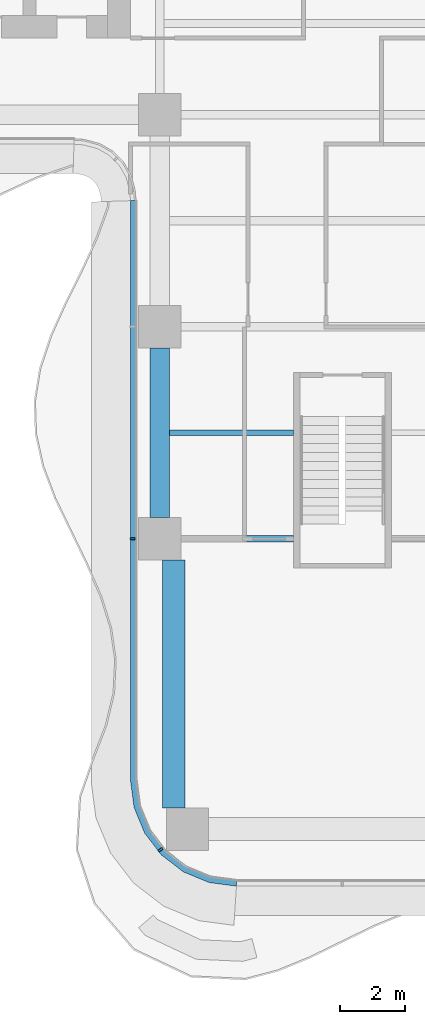
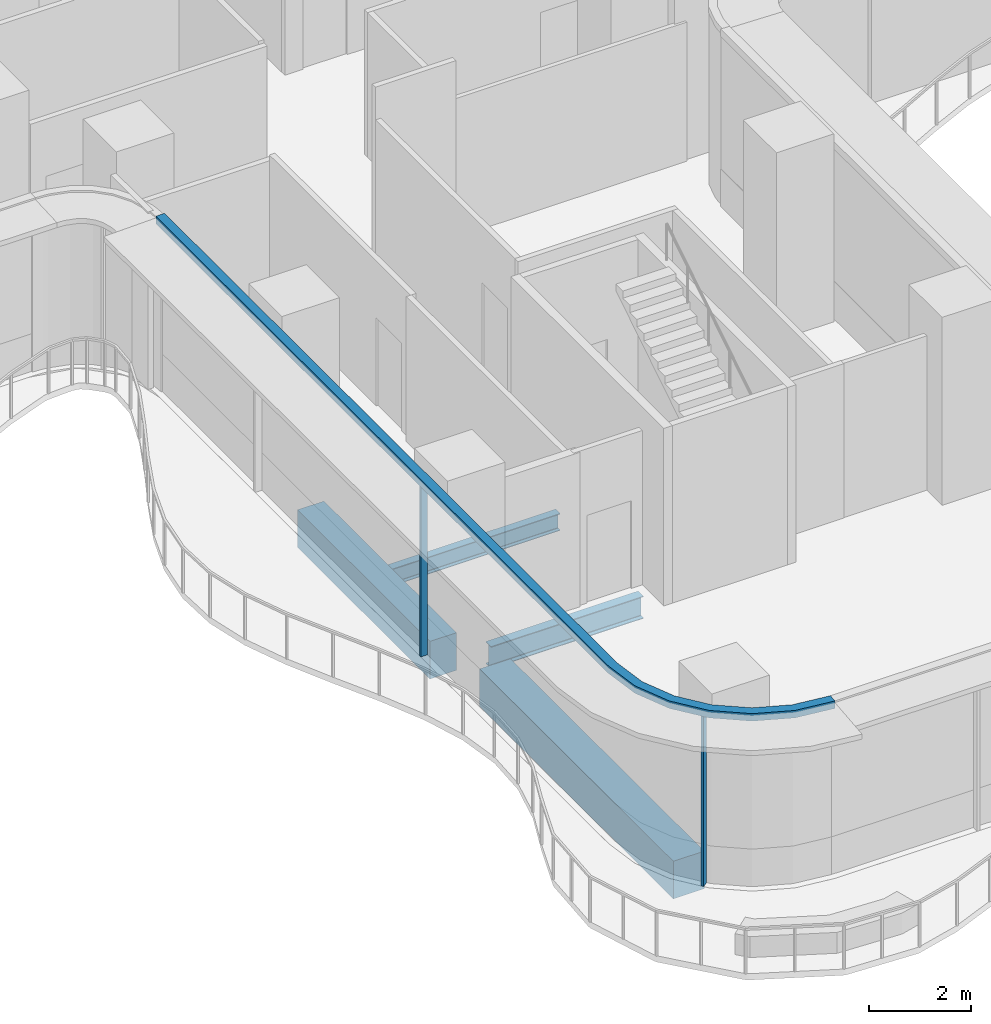
# One storey, part 2 of 21: 4 beams, 3 members, 1 element without a shape of its own.
"""IFC4 building model written with IfcOpenShell, lengths in metres."""

from ifc_helpers import new_model, si_unit, direction, frame, origin, origin_2d, place, context, subcontext, project, spatial, polyline, rectangle, i_section, outline, extrude, source, transform, mapped, material, layer, layer_set, material_profile, profile_set, type_object, element, aggregate, save


model = new_model("IFC4")

# Units and contexts
model_context = context("Model", 3, precision=1e-05, world=origin(), true_north=direction((0.0, 1.0)))
body_context = subcontext(model_context, "Body", "Model", "MODEL_VIEW")
ifc_project = project(units=[si_unit("LENGTHUNIT", "METRE"), si_unit("AREAUNIT", "SQUARE_METRE"), si_unit("VOLUMEUNIT", "CUBIC_METRE"), si_unit("PLANEANGLEUNIT", "RADIAN"), si_unit("MASSUNIT", "GRAM", prefix="KILO")], contexts=[model_context])

# Site, building, storey
site_placement = place(None, origin())
site = spatial("IfcSite", under=ifc_project, at=site_placement, CompositionType="ELEMENT")
building_placement = place(site_placement, origin())
building = spatial("IfcBuilding", under=site, at=building_placement, Name="Trellis Farm Tower", CompositionType="ELEMENT")
storey_placement = place(building_placement, frame((0.0, 0.0, 106.5)))
storey = spatial("IfcBuildingStorey", under=building, at=storey_placement, Name="L22", CompositionType="ELEMENT", Elevation=106.5)

# Beams
ifc_material_1 = material(Name="Steel S355", Category="steel")
ifc_material_profile_1 = material_profile(ifc_material_1, i_section(OverallWidth=0.177978515625, OverallDepth=0.406494140625, WebThickness=0.0078125, FlangeThickness=0.0126953125, FilletRadius=0.01025390625, at=origin_2d()), Name="UB 406x178x60")
ifc_profile_set_1 = profile_set([ifc_material_profile_1], Name="Steel S355")
beam_type_1 = type_object("IfcBeamType", Name="UB 406x178x60 joist", PredefinedType="JOIST", material=ifc_profile_set_1)
shared_shape_1 = source(origin(), body_context, "Body", "SweptSolid", [
    extrude(i_section(OverallWidth=0.177978515625, OverallDepth=0.406494140625, WebThickness=0.0078125, FlangeThickness=0.0126953125, FilletRadius=0.01025390625, at=origin_2d()), origin(), (0.0, 0.0, 1.0), 3.800048828125),
])
beam_1_placement = place(storey_placement, frame((-5.300048828125, -15.35009765625, -0.453125), z_axis=(1.0, 0.0, 0.0), x_axis=(0.0, 1.0, 0.0)))
element("IfcBeam", 1, at=beam_1_placement, inside=storey, type_object=beam_type_1, Name="Floor beam", PredefinedType="JOIST", context=body_context, shape_type="MappedRepresentation", body=[
    mapped(shared_shape_1, transform((0.0, 0.0, 0.0))),
])
ifc_material_profile_2 = material_profile(ifc_material_1, i_section(OverallWidth=0.209228515625, OverallDepth=0.533203125, WebThickness=0.010009765625, FlangeThickness=0.015625, FilletRadius=0.0126953125, at=origin_2d()), Name="UB 533x210x92")
ifc_profile_set_2 = profile_set([ifc_material_profile_2], Name="Steel S355")
beam_type_2 = type_object("IfcBeamType", Name="UB 533x210x92", PredefinedType="BEAM", material=ifc_profile_set_2)
shared_shape_2 = source(origin(), body_context, "Body", "SweptSolid", [
    extrude(i_section(OverallWidth=0.209228515625, OverallDepth=0.533203125, WebThickness=0.010009765625, FlangeThickness=0.015625, FilletRadius=0.0126953125, at=origin_2d()), origin(), (0.0, 0.0, 1.0), 3.449951171875),
])
beam_2_placement = place(storey_placement, frame((-4.949951171875, -18.60009765625, -0.5166015625), z_axis=(1.0, 0.0, 0.0), x_axis=(0.0, 1.0, 0.0)))
element("IfcBeam", 2, at=beam_2_placement, inside=storey, type_object=beam_type_2, Name="Girder", PredefinedType="BEAM", context=body_context, shape_type="MappedRepresentation", body=[
    mapped(shared_shape_2, transform((0.0, 0.0, 0.0))),
])
ifc_material_2 = material(Name="Concrete C60/75", Category="concrete")
ifc_material_profile_3 = material_profile(ifc_material_2, rectangle(XDim=0.60009765625, YDim=0.89990234375, at=origin_2d()), Name="RC spandrel beam 600x900 C60/75")
ifc_profile_set_3 = profile_set([ifc_material_profile_3], Name="Concrete C60/75")
beam_type_3 = type_object("IfcBeamType", Name="RC spandrel beam 600x900 C60/75", PredefinedType="SPANDREL", material=ifc_profile_set_3)
shared_shape_3 = source(origin(), body_context, "Body", "SweptSolid", [
    extrude(rectangle(XDim=0.60009765625, YDim=0.89990234375, at=origin_2d()), origin(), (0.0, 0.0, 1.0), 5.199951171875),
])
beam_3_placement = place(storey_placement, frame((-5.60009765625, -17.949951171875, -0.699951171875), z_axis=(0.0, 1.0, 0.0), x_axis=(-1.0, 0.0, 0.0)))
element("IfcBeam", 3, at=beam_3_placement, inside=storey, type_object=beam_type_3, Name="Girder", PredefinedType="SPANDREL", context=body_context, shape_type="MappedRepresentation", body=[
    mapped(shared_shape_3, transform((0.0, 0.0, 0.0))),
])
ifc_material_profile_4 = material_profile(ifc_material_2, rectangle(XDim=0.699951171875, YDim=0.89990234375, at=origin_2d()), Name="RC spandrel beam 700x900 C60/75")
ifc_profile_set_4 = profile_set([ifc_material_profile_4], Name="Concrete C60/75")
beam_type_4 = type_object("IfcBeamType", Name="RC spandrel beam 700x900 C60/75", PredefinedType="SPANDREL", material=ifc_profile_set_4)
shared_shape_4 = source(origin(), body_context, "Body", "SweptSolid", [
    extrude(rectangle(XDim=0.699951171875, YDim=0.89990234375, at=origin_2d()), origin(), (0.0, 0.0, 1.0), 7.60009765625),
])
beam_4_placement = place(storey_placement, frame((-5.175048828125, -26.85009765625, -0.699951171875), z_axis=(0.0, 1.0, 0.0), x_axis=(-1.0, 0.0, 0.0)))
element("IfcBeam", 4, at=beam_4_placement, inside=storey, type_object=beam_type_4, Name="Girder", PredefinedType="SPANDREL", context=body_context, shape_type="MappedRepresentation", body=[
    mapped(shared_shape_4, transform((0.0, 0.0, 0.0))),
])

# Curtain wall, members
ifc_material_3 = material(Name="Aluminium and glass curtain wall", Category="aluminium")
ifc_layer_1 = layer(ifc_material_3, 0.18994140625)
ifc_layer_set_1 = layer_set([ifc_layer_1], Name="RIBBON CURTAIN WALL CW1")
curtain_wall_type = type_object("IfcCurtainWallType", Name="RIBBON CURTAIN WALL CW1", PredefinedType="NOTDEFINED", material=ifc_layer_set_1)
curtain_wall_placement = place(storey_placement, origin())
curtain_wall = element("IfcCurtainWall", 5, at=curtain_wall_placement, inside=storey, type_object=curtain_wall_type, Name="CW1 002", PredefinedType="NOTDEFINED")
ifc_material_4 = material(Name="Aluminium extrusion 6063-T6", Category="aluminium")
ifc_material_profile_5 = material_profile(ifc_material_4, rectangle(XDim=0.06005859375, YDim=0.14990234375, at=origin_2d()), Name="MULLION 60x150")
ifc_profile_set_5 = profile_set([ifc_material_profile_5], Name="Aluminium extrusion 6063-T6")
member_type_1 = type_object("IfcMemberType", Name="CW1 MULLION 60x150", PredefinedType="MULLION", material=ifc_profile_set_5)
shared_shape_5 = source(origin(), body_context, "Body", "SweptSolid", [
    extrude(rectangle(XDim=0.06005859375, YDim=0.14990234375, at=origin_2d()), origin(), (0.0, 0.0, 1.0), 4.070068359375),
])
member_1_placement = place(storey_placement, frame((-6.425048828125, -18.60009765625, 0.0), z_axis=(0.0, 0.0, 1.0), x_axis=(0.0, -1.0, 0.0)))
member_1 = element("IfcMember", 6, at=member_1_placement, type_object=member_type_1, Name="MU1 002-02", PredefinedType="MULLION", context=body_context, shape_type="MappedRepresentation", body=[
    mapped(shared_shape_5, transform((0.0, 0.0, 0.0))),
])
member_2_placement = place(storey_placement, frame((-5.578369140625, -28.135498046875, 0.0), z_axis=(0.0, 0.0, 1.0), x_axis=(0.608761429009, -0.793353340291, 0.0)))
member_2 = element("IfcMember", 7, at=member_2_placement, type_object=member_type_1, Name="MU1 002-03", PredefinedType="MULLION", context=body_context, shape_type="MappedRepresentation", body=[
    mapped(shared_shape_5, transform((0.0, 0.0, 0.0))),
])
ifc_layer_2 = layer(ifc_material_4, 0.199951171875)
ifc_layer_set_2 = layer_set([ifc_layer_2], Name="Aluminium extrusion 6063-T6")
member_type_2 = type_object("IfcMemberType", Name="CW1 TRANSOM 200x180", PredefinedType="USERDEFINED", material=ifc_layer_set_2)
shared_shape_6 = source(origin(), body_context, "Body", "SweptSolid", [
    extrude(outline(polyline([(-6.5, -8.2314453125), (-6.5, -26.0), (-6.38916015625, -26.841064453125), (-6.064697265625, -27.625), (-5.548095703125, -28.298095703125), (-4.875, -28.814697265625), (-4.091064453125, -29.13916015625), (-3.25, -29.25), (-3.23681640625, -29.050048828125), (-4.0390625, -28.9443359375), (-4.774169921875, -28.639892578125), (-5.405517578125, -28.155517578125), (-5.889892578125, -27.524169921875), (-6.1943359375, -26.7890625), (-6.300048828125, -25.98681640625), (-6.300048828125, -8.224853515625), (-6.5, -8.2314453125)])), origin(), (0.0, 0.0, 1.0), 0.179931640625),
])
member_3_placement = place(storey_placement, frame((0.0, 0.0, 4.070068359375)))
member_3 = element("IfcMember", 8, at=member_3_placement, type_object=member_type_2, Name="TR1 002", ObjectType="TRANSOM", PredefinedType="USERDEFINED", context=body_context, shape_type="MappedRepresentation", body=[
    mapped(shared_shape_6, transform((0.0, 0.0, 0.0))),
])
aggregate(curtain_wall, [member_1, member_2, member_3])

save(model, "model.ifc")
